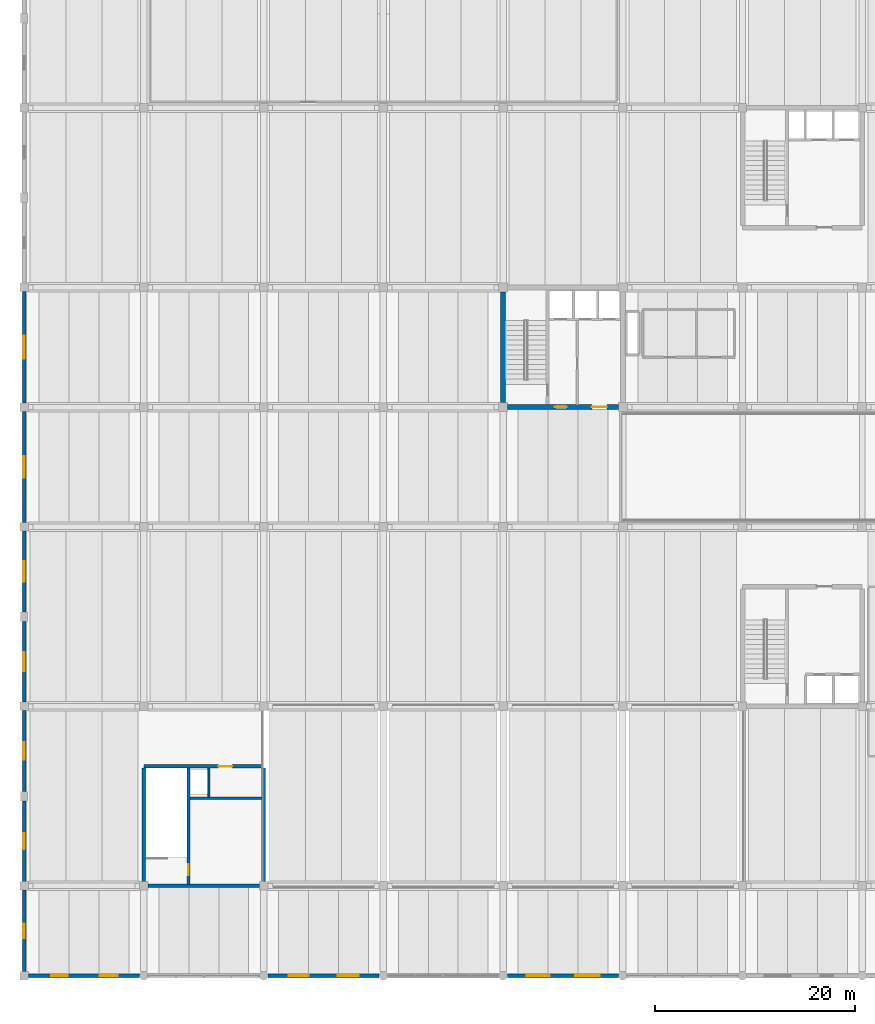
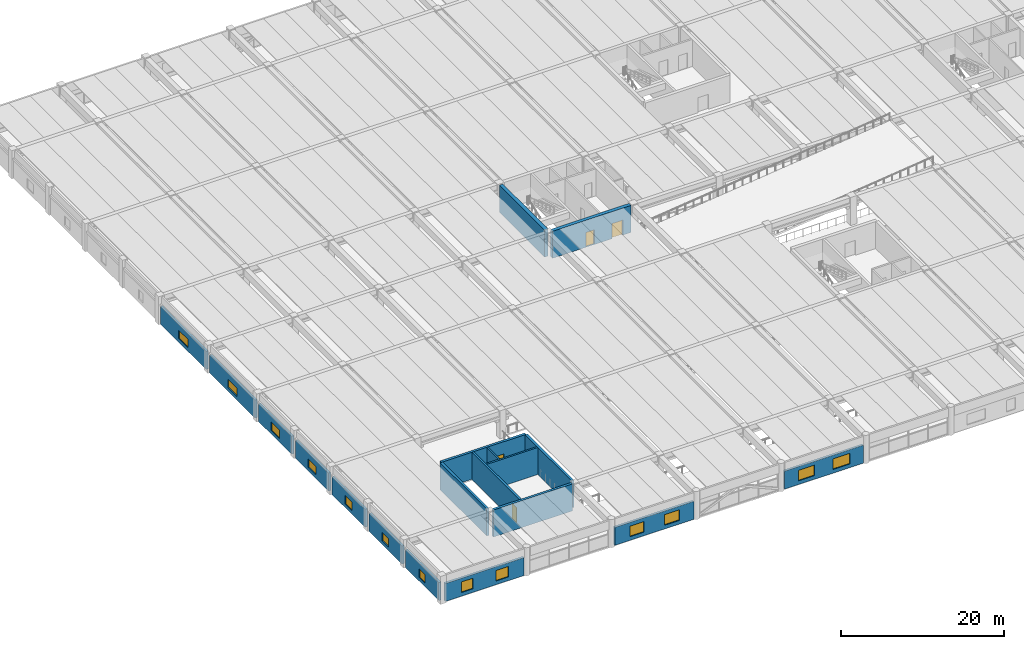
# One storey, part 33 of 50: 19 walls, 13 windows, 4 doors, 17 openings.
"""IFC4 building model written with IfcOpenShell, lengths in metres."""

from ifc_helpers import new_model, si_unit, direction, frame, frame_2d, origin, place, context, subcontext, project, spatial, rectangle, extrude, material, layer, layer_set, type_object, element, fill, save


model = new_model("IFC4")

# Units and contexts
model_context = context("Model", 3, precision=1e-05, world=origin(), true_north=direction((0.0, 1.0)))
body_context = subcontext(model_context, "Body", "Model", "MODEL_VIEW")
ifc_project = project(units=[si_unit("LENGTHUNIT", "METRE"), si_unit("AREAUNIT", "SQUARE_METRE"), si_unit("VOLUMEUNIT", "CUBIC_METRE"), si_unit("PLANEANGLEUNIT", "RADIAN"), si_unit("MASSUNIT", "GRAM", prefix="KILO")], contexts=[model_context])

# Site, building, storey
site_placement = place(None, origin())
site = spatial("IfcSite", under=ifc_project, at=site_placement, CompositionType="ELEMENT")
building_placement = place(site_placement, origin())
building = spatial("IfcBuilding", under=site, at=building_placement, Name="Girod Span Mobility Hub", CompositionType="ELEMENT")
storey_placement = place(building_placement, frame((0.0, 0.0, 5.39990234375)))
storey = spatial("IfcBuildingStorey", under=building, at=storey_placement, Name="L01", CompositionType="ELEMENT", Elevation=5.39990234375)

# Wall
ifc_material_1 = material(Name="Concrete C40/50", Category="concrete")
ifc_layer_1 = layer(ifc_material_1, 0.35009765625)
ifc_layer_set_1 = layer_set([ifc_layer_1], Name="Concrete C40/50")
wall_type_1 = type_object("IfcWallType", Name="W-CW-350", PredefinedType="SHEAR", material=ifc_layer_set_1)
wall_1_placement = place(storey_placement, frame((12.422119140625, 9.0, 0.0), z_axis=(0.0, 0.0, 1.0), x_axis=(1.0, 0.0, 0.0)))
element("IfcWall", 1, at=wall_1_placement, inside=storey, type_object=wall_type_1, Name="Core C5 Shear Wall S L01", PredefinedType="SHEAR", context=body_context, shape_type="SweptSolid", body=[
    extrude(rectangle(XDim=11.15576171875, YDim=0.35009765625, at=frame_2d((5.577880859375, 0.0))), origin(), (0.0, 0.0, 1.0), 4.043212890625),
])

# Wall, opening, door
wall_2_placement = place(storey_placement, frame((12.0, 21.0, 0.0), z_axis=(0.0, 0.0, 1.0), x_axis=(1.0, 0.0, 0.0)))
wall_2 = element("IfcWall", 2, at=wall_2_placement, inside=storey, type_object=wall_type_1, Name="Core C5 Shear Wall N L01", PredefinedType="SHEAR", context=body_context, shape_type="SweptSolid", body=[
    extrude(rectangle(XDim=12.0, YDim=0.35009765625, at=frame_2d((6.0, 0.0))), origin(), (0.0, 0.0, 1.0), 4.043212890625),
])
opening_1_placement = place(wall_2_placement, frame((7.449951171875, 0.0, 0.0)))
opening_1 = element("IfcOpeningElement", 3, at=opening_1_placement, cuts=wall_2, Name="Opening D-LB-C5-L01", PredefinedType="OPENING", context=body_context, shape_type="SweptSolid", body=[
    extrude(rectangle(XDim=1.39990234375, YDim=2.219970703125, at=frame_2d((0.699951171875, 1.10986328125))), frame((0.0, 0.18994140625, 0.0), z_axis=(0.0, -1.0, 0.0), x_axis=(1.0, 0.0, 0.0)), (0.0, 0.0, 1.0), 0.380126953125),
])
ifc_material_2 = material(Name="Fire-Rated Insulated Hollow Metal Steel", Category="steel")
door_type_1 = type_object("IfcDoorType", Name="DT-FD-04", OperationType="DOUBLE_DOOR_SINGLE_SWING", PredefinedType="DOOR", material=ifc_material_2)
door_1_placement = place(opening_1_placement, origin())
door_1 = element("IfcDoor", 4, at=door_1_placement, inside=storey, type_object=door_type_1, Name="Core C5 Boulevard Stair Lobby Door L01", OperationType="DOUBLE_DOOR_SINGLE_SWING", OverallHeight=2.219970703125, OverallWidth=1.39990234375, PredefinedType="DOOR", context=body_context, shape_type="SweptSolid", body=[
    extrude(rectangle(XDim=1.39990234375, YDim=2.219970703125, at=frame_2d((0.699951171875, 1.10986328125))), frame((0.0, 0.02490234375, 0.0), z_axis=(0.0, -1.0, 0.0), x_axis=(1.0, 0.0, 0.0)), (0.0, 0.0, 1.0), 0.050048828125),
])
fill(opening_1, door_1)

# Walls
for number, where, z_axis, x_axis, name in (
    (5, (12.0, 9.422119140625, 0.0), (0.0, 0.0, 1.0), (0.0, 1.0, 0.0), "Core C5 Shear Wall W L01"),
    (6, (24.0, 9.422119140625, 0.0), (0.0, 0.0, 1.0), (0.0, 1.0, 0.0), "Core C5 Shear Wall E L01"),
):
    element("IfcWall", number, at=place(storey_placement, frame(where, z_axis=z_axis, x_axis=x_axis)), inside=storey, type_object=wall_type_1, Name=name, PredefinedType="SHEAR", context=body_context, shape_type="SweptSolid", body=[
        extrude(rectangle(XDim=11.40576171875, YDim=0.35009765625, at=frame_2d((5.702880859375, 0.0))), origin(), (0.0, 0.0, 1.0), 4.043212890625),
    ])

# Wall, openings, doors
ifc_material_3 = material(Name="Concrete C40/50", Category="concrete")
ifc_layer_2 = layer(ifc_material_3, 0.5)
ifc_layer_set_2 = layer_set([ifc_layer_2], Name="Concrete C40/50")
wall_type_2 = type_object("IfcWallType", Name="W-CW-500", PredefinedType="SHEAR", material=ifc_layer_set_2)
wall_3_placement = place(storey_placement, frame((48.447021484375, 57.0, 0.0), z_axis=(0.0, 0.0, 1.0), x_axis=(1.0, 0.0, 0.0)))
wall_3 = element("IfcWall", 7, at=wall_3_placement, inside=storey, type_object=wall_type_2, Name="Core C1 Shear Wall S L01", PredefinedType="SHEAR", context=body_context, shape_type="SweptSolid", body=[
    extrude(rectangle(XDim=11.10595703125, YDim=0.5, at=frame_2d((5.552978515625, 0.0))), origin(), (0.0, 0.0, 1.0), 4.043212890625),
])
opening_2_placement = place(wall_3_placement, frame((4.7529296875, 0.0, 0.0)))
opening_2 = element("IfcOpeningElement", 8, at=opening_2_placement, cuts=wall_3, Name="Opening D-FL-C1-L01", PredefinedType="OPENING", context=body_context, shape_type="SweptSolid", body=[
    extrude(rectangle(XDim=1.199951171875, YDim=2.199951171875, at=frame_2d((0.60009765625, 1.10009765625))), frame((0.0, 0.264892578125, 0.0), z_axis=(0.0, -1.0, 0.0), x_axis=(1.0, 0.0, 0.0)), (0.0, 0.0, 1.0), 0.530029296875),
])
opening_3_placement = place(wall_3_placement, frame((8.452880859375, 0.0, 0.0)))
opening_3 = element("IfcOpeningElement", 9, at=opening_3_placement, cuts=wall_3, Name="Opening D-LB-C1-L01", PredefinedType="OPENING", context=body_context, shape_type="SweptSolid", body=[
    extrude(rectangle(XDim=1.5, YDim=2.25, at=frame_2d((0.75, 1.125))), frame((0.0, 0.264892578125, 0.0), z_axis=(0.0, -1.0, 0.0), x_axis=(1.0, 0.0, 0.0)), (0.0, 0.0, 1.0), 0.530029296875),
])
ifc_material_4 = material(Name="Fire-Rated Insulated Hollow Metal Steel", Category="steel")
door_type_2 = type_object("IfcDoorType", Name="DT-FD-03", OperationType="DOUBLE_DOOR_SINGLE_SWING", PredefinedType="DOOR", material=ifc_material_4)
door_2_placement = place(opening_3_placement, origin())
door_2 = element("IfcDoor", 10, at=door_2_placement, inside=storey, type_object=door_type_2, Name="Lift Lobby Entry Door C1 L01", OperationType="DOUBLE_DOOR_SINGLE_SWING", OverallHeight=2.25, OverallWidth=1.5, PredefinedType="DOOR", context=body_context, shape_type="SweptSolid", body=[
    extrude(rectangle(XDim=1.5, YDim=2.25, at=frame_2d((0.75, 1.125))), frame((0.0, 0.02490234375, 0.0), z_axis=(0.0, -1.0, 0.0), x_axis=(1.0, 0.0, 0.0)), (0.0, 0.0, 1.0), 0.050048828125),
])
fill(opening_3, door_2)
ifc_material_5 = material(Name="Fire-Rated Insulated Hollow Metal Steel", Category="steel")
door_type_3 = type_object("IfcDoorType", Name="DT-FD-05", OperationType="NOTDEFINED", PredefinedType="DOOR", material=ifc_material_5)
door_3_placement = place(opening_2_placement, origin())
door_3 = element("IfcDoor", 11, at=door_3_placement, inside=storey, type_object=door_type_3, Name="Firefighting Lobby Entry Door C1 L01", OperationType="SINGLE_SWING_RIGHT", OverallHeight=2.199951171875, OverallWidth=1.199951171875, PredefinedType="DOOR", context=body_context, shape_type="SweptSolid", body=[
    extrude(rectangle(XDim=1.199951171875, YDim=2.199951171875, at=frame_2d((0.60009765625, 1.10009765625))), frame((0.0, 0.02490234375, 0.0), z_axis=(0.0, -1.0, 0.0), x_axis=(1.0, 0.0, 0.0)), (0.0, 0.0, 1.0), 0.050048828125),
])
fill(opening_2, door_3)

# Wall
wall_4_placement = place(storey_placement, frame((48.0, 57.447021484375, 0.0), z_axis=(0.0, 0.0, 1.0), x_axis=(0.0, 1.0, 0.0)))
element("IfcWall", 12, at=wall_4_placement, inside=storey, type_object=wall_type_2, Name="Core C1 Shear Wall W L01", PredefinedType="SHEAR", context=body_context, shape_type="SweptSolid", body=[
    extrude(rectangle(XDim=11.10595703125, YDim=0.5, at=frame_2d((5.552978515625, 0.0))), origin(), (0.0, 0.0, 1.0), 4.043212890625),
])

# Wall, openings, windows
ifc_material_6 = material(Name="Precast Architectural Concrete C40/50", Category="concrete")
ifc_layer_3 = layer(ifc_material_6, 0.320068359375)
ifc_layer_set_3 = layer_set([ifc_layer_3], Name="Precast Architectural Concrete C40/50")
wall_type_3 = type_object("IfcWallType", Name="W-EXT-320", PredefinedType="SOLIDWALL", material=ifc_layer_set_3)
wall_5_placement = place(storey_placement, frame((0.423095703125, 0.0, 0.0), z_axis=(0.0, 0.0, 1.0), x_axis=(1.0, 0.0, 0.0)))
wall_5 = element("IfcWall", 13, at=wall_5_placement, inside=storey, type_object=wall_type_3, Name="Exterior Insulated Precast Wall S-1 L01", PredefinedType="SOLIDWALL", context=body_context, shape_type="SweptSolid", body=[
    extrude(rectangle(XDim=11.15380859375, YDim=0.320068359375, at=frame_2d((5.576904296875, 0.0))), origin(), (0.0, 0.0, 1.0), 2.690185546875),
])
opening_4_placement = place(wall_5_placement, frame((2.27001953125, 0.0, 0.550048828125)))
opening_4 = element("IfcOpeningElement", 14, at=opening_4_placement, cuts=wall_5, Name="Opening W-L01-S00A", PredefinedType="OPENING", context=body_context, shape_type="SweptSolid", body=[
    extrude(rectangle(XDim=1.659912109375, YDim=1.580078125, at=frame_2d((0.830078125, 0.7900390625))), frame((0.0, 0.175048828125, 0.0), z_axis=(0.0, -1.0, 0.0), x_axis=(1.0, 0.0, 0.0)), (0.0, 0.0, 1.0), 0.35009765625),
])
opening_5_placement = place(wall_5_placement, frame((7.14404296875, 0.0, 0.550048828125)))
opening_5 = element("IfcOpeningElement", 15, at=opening_5_placement, cuts=wall_5, Name="Opening W-L01-S00B", PredefinedType="OPENING", context=body_context, shape_type="SweptSolid", body=[
    extrude(rectangle(XDim=1.820068359375, YDim=1.580078125, at=frame_2d((0.91015625, 0.7900390625))), frame((0.0, 0.175048828125, 0.0), z_axis=(0.0, -1.0, 0.0), x_axis=(1.0, 0.0, 0.0)), (0.0, 0.0, 1.0), 0.35009765625),
])
ifc_material_7 = material(Name="Double Low-E Insulated Glazing", Category="glass")
window_type_1 = type_object("IfcWindowType", Name="WN-24", PartitioningType="SINGLE_PANEL", PredefinedType="WINDOW", material=ifc_material_7)
window_1_placement = place(opening_4_placement, origin())
window_1 = element("IfcWindow", 16, at=window_1_placement, inside=storey, type_object=window_type_1, Name="Gallery Window WN-24", OverallHeight=1.580078125, OverallWidth=1.659912109375, PartitioningType="SINGLE_PANEL", PredefinedType="WINDOW", context=body_context, shape_type="SweptSolid", body=[
    extrude(rectangle(XDim=1.659912109375, YDim=1.580078125, at=frame_2d((0.830078125, 0.7900390625))), frame((0.0, 0.030029296875, 0.0), z_axis=(0.0, -1.0, 0.0), x_axis=(1.0, 0.0, 0.0)), (0.0, 0.0, 1.0), 0.06005859375),
])
fill(opening_4, window_1)
ifc_material_8 = material(Name="Double Low-E Insulated Glazing", Category="glass")
window_type_2 = type_object("IfcWindowType", Name="WN-25", PartitioningType="DOUBLE_PANEL_VERTICAL", PredefinedType="WINDOW", material=ifc_material_8)
window_2_placement = place(opening_5_placement, origin())
window_2 = element("IfcWindow", 17, at=window_2_placement, inside=storey, type_object=window_type_2, Name="Gallery Window WN-25", OverallHeight=1.580078125, OverallWidth=1.820068359375, PartitioningType="DOUBLE_PANEL_VERTICAL", PredefinedType="WINDOW", context=body_context, shape_type="SweptSolid", body=[
    extrude(rectangle(XDim=1.820068359375, YDim=1.580078125, at=frame_2d((0.91015625, 0.7900390625))), frame((0.0, 0.030029296875, 0.0), z_axis=(0.0, -1.0, 0.0), x_axis=(1.0, 0.0, 0.0)), (0.0, 0.0, 1.0), 0.06005859375),
])
fill(opening_5, window_2)

wall_6_placement = place(storey_placement, frame((24.423095703125, 0.0, 0.0), z_axis=(0.0, 0.0, 1.0), x_axis=(1.0, 0.0, 0.0)))
wall_6 = element("IfcWall", 18, at=wall_6_placement, inside=storey, type_object=wall_type_3, Name="Exterior Insulated Precast Wall S-3 L01", PredefinedType="SOLIDWALL", context=body_context, shape_type="SweptSolid", body=[
    extrude(rectangle(XDim=11.15380859375, YDim=0.320068359375, at=frame_2d((5.576904296875, 0.0))), origin(), (0.0, 0.0, 1.0), 2.690185546875),
])
opening_6_placement = place(wall_6_placement, frame((2.110107421875, 0.0, 0.550048828125)))
opening_6 = element("IfcOpeningElement", 19, at=opening_6_placement, cuts=wall_6, Name="Opening W-L01-S02A", PredefinedType="OPENING", context=body_context, shape_type="SweptSolid", body=[
    extrude(rectangle(XDim=1.97998046875, YDim=1.580078125, at=frame_2d((0.989990234375, 0.7900390625))), frame((0.0, 0.175048828125, 0.0), z_axis=(0.0, -1.0, 0.0), x_axis=(1.0, 0.0, 0.0)), (0.0, 0.0, 1.0), 0.35009765625),
])
opening_7_placement = place(wall_6_placement, frame((6.98388671875, 0.0, 0.550048828125)))
opening_7 = element("IfcOpeningElement", 20, at=opening_7_placement, cuts=wall_6, Name="Opening W-L01-S02B", PredefinedType="OPENING", context=body_context, shape_type="SweptSolid", body=[
    extrude(rectangle(XDim=2.139892578125, YDim=1.580078125, at=frame_2d((1.06982421875, 0.7900390625))), frame((0.0, 0.175048828125, 0.0), z_axis=(0.0, -1.0, 0.0), x_axis=(1.0, 0.0, 0.0)), (0.0, 0.0, 1.0), 0.35009765625),
])
ifc_material_9 = material(Name="Double Low-E Insulated Glazing", Category="glass")
window_type_3 = type_object("IfcWindowType", Name="WN-26", PartitioningType="DOUBLE_PANEL_VERTICAL", PredefinedType="WINDOW", material=ifc_material_9)
window_3_placement = place(opening_6_placement, origin())
window_3 = element("IfcWindow", 21, at=window_3_placement, inside=storey, type_object=window_type_3, Name="Gallery Window WN-26", OverallHeight=1.580078125, OverallWidth=1.97998046875, PartitioningType="DOUBLE_PANEL_VERTICAL", PredefinedType="WINDOW", context=body_context, shape_type="SweptSolid", body=[
    extrude(rectangle(XDim=1.97998046875, YDim=1.580078125, at=frame_2d((0.989990234375, 0.7900390625))), frame((0.0, 0.030029296875, 0.0), z_axis=(0.0, -1.0, 0.0), x_axis=(1.0, 0.0, 0.0)), (0.0, 0.0, 1.0), 0.06005859375),
])
fill(opening_6, window_3)
ifc_material_10 = material(Name="Double Low-E Insulated Glazing", Category="glass")
window_type_4 = type_object("IfcWindowType", Name="WN-27", PartitioningType="DOUBLE_PANEL_VERTICAL", PredefinedType="WINDOW", material=ifc_material_10)
window_4_placement = place(opening_7_placement, origin())
window_4 = element("IfcWindow", 22, at=window_4_placement, inside=storey, type_object=window_type_4, Name="Gallery Window WN-27", OverallHeight=1.580078125, OverallWidth=2.139892578125, PartitioningType="DOUBLE_PANEL_VERTICAL", PredefinedType="WINDOW", context=body_context, shape_type="SweptSolid", body=[
    extrude(rectangle(XDim=2.139892578125, YDim=1.580078125, at=frame_2d((1.06982421875, 0.7900390625))), frame((0.0, 0.030029296875, 0.0), z_axis=(0.0, -1.0, 0.0), x_axis=(1.0, 0.0, 0.0)), (0.0, 0.0, 1.0), 0.06005859375),
])
fill(opening_7, window_4)

wall_7_placement = place(storey_placement, frame((48.423095703125, 0.0, 0.0), z_axis=(0.0, 0.0, 1.0), x_axis=(1.0, 0.0, 0.0)))
wall_7 = element("IfcWall", 23, at=wall_7_placement, inside=storey, type_object=wall_type_3, Name="Exterior Insulated Precast Wall S-5 L01", PredefinedType="SOLIDWALL", context=body_context, shape_type="SweptSolid", body=[
    extrude(rectangle(XDim=11.15380859375, YDim=0.320068359375, at=frame_2d((5.576904296875, 0.0))), origin(), (0.0, 0.0, 1.0), 2.690185546875),
])
opening_8_placement = place(wall_7_placement, frame((1.949951171875, 0.0, 0.550048828125)))
opening_8 = element("IfcOpeningElement", 24, at=opening_8_placement, cuts=wall_7, Name="Opening W-L01-S04A", PredefinedType="OPENING", context=body_context, shape_type="SweptSolid", body=[
    extrude(rectangle(XDim=2.300048828125, YDim=1.580078125, at=frame_2d((1.14990234375, 0.7900390625))), frame((0.0, 0.175048828125, 0.0), z_axis=(0.0, -1.0, 0.0), x_axis=(1.0, 0.0, 0.0)), (0.0, 0.0, 1.0), 0.35009765625),
])
opening_9_placement = place(wall_7_placement, frame((6.823974609375, 0.0, 0.550048828125)))
opening_9 = element("IfcOpeningElement", 25, at=opening_9_placement, cuts=wall_7, Name="Opening W-L01-S04B", PredefinedType="OPENING", context=body_context, shape_type="SweptSolid", body=[
    extrude(rectangle(XDim=2.4599609375, YDim=1.580078125, at=frame_2d((1.22998046875, 0.7900390625))), frame((0.0, 0.175048828125, 0.0), z_axis=(0.0, -1.0, 0.0), x_axis=(1.0, 0.0, 0.0)), (0.0, 0.0, 1.0), 0.35009765625),
])
ifc_material_11 = material(Name="Double Low-E Insulated Glazing", Category="glass")
window_type_5 = type_object("IfcWindowType", Name="WN-28", PartitioningType="DOUBLE_PANEL_VERTICAL", PredefinedType="WINDOW", material=ifc_material_11)
window_5_placement = place(opening_8_placement, origin())
window_5 = element("IfcWindow", 26, at=window_5_placement, inside=storey, type_object=window_type_5, Name="Gallery Window WN-28", OverallHeight=1.580078125, OverallWidth=2.300048828125, PartitioningType="DOUBLE_PANEL_VERTICAL", PredefinedType="WINDOW", context=body_context, shape_type="SweptSolid", body=[
    extrude(rectangle(XDim=2.300048828125, YDim=1.580078125, at=frame_2d((1.14990234375, 0.7900390625))), frame((0.0, 0.030029296875, 0.0), z_axis=(0.0, -1.0, 0.0), x_axis=(1.0, 0.0, 0.0)), (0.0, 0.0, 1.0), 0.06005859375),
])
fill(opening_8, window_5)
ifc_material_12 = material(Name="Double Low-E Insulated Glazing", Category="glass")
window_type_6 = type_object("IfcWindowType", Name="WN-29", PartitioningType="DOUBLE_PANEL_VERTICAL", PredefinedType="WINDOW", material=ifc_material_12)
window_6_placement = place(opening_9_placement, origin())
window_6 = element("IfcWindow", 27, at=window_6_placement, inside=storey, type_object=window_type_6, Name="Gallery Window WN-29", OverallHeight=1.580078125, OverallWidth=2.4599609375, PartitioningType="DOUBLE_PANEL_VERTICAL", PredefinedType="WINDOW", context=body_context, shape_type="SweptSolid", body=[
    extrude(rectangle(XDim=2.4599609375, YDim=1.580078125, at=frame_2d((1.22998046875, 0.7900390625))), frame((0.0, 0.030029296875, 0.0), z_axis=(0.0, -1.0, 0.0), x_axis=(1.0, 0.0, 0.0)), (0.0, 0.0, 1.0), 0.06005859375),
])
fill(opening_9, window_6)

# Wall, opening, window
wall_8_placement = place(storey_placement, frame((0.0, 0.423095703125, 0.0), z_axis=(0.0, 0.0, 1.0), x_axis=(0.0, 1.0, 0.0)))
wall_8 = element("IfcWall", 28, at=wall_8_placement, inside=storey, type_object=wall_type_3, Name="Side Exterior Wall W-A-1 L01", PredefinedType="SOLIDWALL", context=body_context, shape_type="SweptSolid", body=[
    extrude(rectangle(XDim=8.15380859375, YDim=0.320068359375, at=frame_2d((4.076904296875, 0.0))), origin(), (0.0, 0.0, 1.0), 2.690185546875),
])
opening_10_placement = place(wall_8_placement, frame((3.35205078125, 0.0, 0.550048828125)))
opening_10 = element("IfcOpeningElement", 29, at=opening_10_placement, cuts=wall_8, Name="Opening W-L01-W01", PredefinedType="OPENING", context=body_context, shape_type="SweptSolid", body=[
    extrude(rectangle(XDim=1.449951171875, YDim=1.25, at=frame_2d((0.72509765625, 0.625))), frame((0.0, 0.175048828125, 0.0), z_axis=(0.0, -1.0, 0.0), x_axis=(1.0, 0.0, 0.0)), (0.0, 0.0, 1.0), 0.35009765625),
])
ifc_material_13 = material(Name="Double Low-E Insulated Glazing", Category="glass")
window_type_7 = type_object("IfcWindowType", Name="WN-04", PartitioningType="SINGLE_PANEL", PredefinedType="WINDOW", material=ifc_material_13)
window_7_placement = place(opening_10_placement, origin())
window_7 = element("IfcWindow", 30, at=window_7_placement, inside=storey, type_object=window_type_7, Name="Side Facade Window WN-04", OverallHeight=1.25, OverallWidth=1.449951171875, PartitioningType="SINGLE_PANEL", PredefinedType="WINDOW", context=body_context, shape_type="SweptSolid", body=[
    extrude(rectangle(XDim=1.449951171875, YDim=1.25, at=frame_2d((0.72509765625, 0.625))), frame((0.0, 0.030029296875, 0.0), z_axis=(0.0, -1.0, 0.0), x_axis=(1.0, 0.0, 0.0)), (0.0, 0.0, 1.0), 0.06005859375),
])
fill(opening_10, window_7)

wall_9_placement = place(storey_placement, frame((0.0, 9.423095703125, 0.0), z_axis=(0.0, 0.0, 1.0), x_axis=(0.0, 1.0, 0.0)))
wall_9 = element("IfcWall", 31, at=wall_9_placement, inside=storey, type_object=wall_type_3, Name="Side Exterior Wall W-B-1 L01", PredefinedType="SOLIDWALL", context=body_context, shape_type="SweptSolid", body=[
    extrude(rectangle(XDim=8.10400390625, YDim=0.320068359375, at=frame_2d((4.052001953125, 0.0))), origin(), (0.0, 0.0, 1.0), 2.690185546875),
])
opening_11_placement = place(wall_9_placement, frame((3.251953125, 0.0, 0.550048828125)))
opening_11 = element("IfcOpeningElement", 32, at=opening_11_placement, cuts=wall_9, Name="Opening W-L01-W11", PredefinedType="OPENING", context=body_context, shape_type="SweptSolid", body=[
    extrude(rectangle(XDim=1.60009765625, YDim=1.25, at=frame_2d((0.800048828125, 0.625))), frame((0.0, 0.175048828125, 0.0), z_axis=(0.0, -1.0, 0.0), x_axis=(1.0, 0.0, 0.0)), (0.0, 0.0, 1.0), 0.35009765625),
])
ifc_material_14 = material(Name="Double Low-E Insulated Glazing", Category="glass")
window_type_8 = type_object("IfcWindowType", Name="WN-05", PartitioningType="SINGLE_PANEL", PredefinedType="WINDOW", material=ifc_material_14)
window_8_placement = place(opening_11_placement, origin())
window_8 = element("IfcWindow", 33, at=window_8_placement, inside=storey, type_object=window_type_8, Name="Side Facade Window WN-05", OverallHeight=1.25, OverallWidth=1.60009765625, PartitioningType="SINGLE_PANEL", PredefinedType="WINDOW", context=body_context, shape_type="SweptSolid", body=[
    extrude(rectangle(XDim=1.60009765625, YDim=1.25, at=frame_2d((0.800048828125, 0.625))), frame((0.0, 0.030029296875, 0.0), z_axis=(0.0, -1.0, 0.0), x_axis=(1.0, 0.0, 0.0)), (0.0, 0.0, 1.0), 0.06005859375),
])
fill(opening_11, window_8)

wall_10_placement = place(storey_placement, frame((0.0, 18.472900390625, 0.0), z_axis=(0.0, 0.0, 1.0), x_axis=(0.0, 1.0, 0.0)))
wall_10 = element("IfcWall", 34, at=wall_10_placement, inside=storey, type_object=wall_type_3, Name="Side Exterior Wall W-B-2 L01", PredefinedType="SOLIDWALL", context=body_context, shape_type="SweptSolid", body=[
    extrude(rectangle(XDim=8.10400390625, YDim=0.320068359375, at=frame_2d((4.052001953125, 0.0))), origin(), (0.0, 0.0, 1.0), 2.690185546875),
])
opening_12_placement = place(wall_10_placement, frame((3.177001953125, 0.0, 0.550048828125)))
opening_12 = element("IfcOpeningElement", 35, at=opening_12_placement, cuts=wall_10, Name="Opening W-L01-W12", PredefinedType="OPENING", context=body_context, shape_type="SweptSolid", body=[
    extrude(rectangle(XDim=1.75, YDim=1.25, at=frame_2d((0.875, 0.625))), frame((0.0, 0.175048828125, 0.0), z_axis=(0.0, -1.0, 0.0), x_axis=(1.0, 0.0, 0.0)), (0.0, 0.0, 1.0), 0.35009765625),
])
ifc_material_15 = material(Name="Double Low-E Insulated Glazing", Category="glass")
window_type_9 = type_object("IfcWindowType", Name="WN-06", PartitioningType="SINGLE_PANEL", PredefinedType="WINDOW", material=ifc_material_15)
window_9_placement = place(opening_12_placement, origin())
window_9 = element("IfcWindow", 36, at=window_9_placement, inside=storey, type_object=window_type_9, Name="Side Facade Window WN-06", OverallHeight=1.25, OverallWidth=1.75, PartitioningType="SINGLE_PANEL", PredefinedType="WINDOW", context=body_context, shape_type="SweptSolid", body=[
    extrude(rectangle(XDim=1.75, YDim=1.25, at=frame_2d((0.875, 0.625))), frame((0.0, 0.030029296875, 0.0), z_axis=(0.0, -1.0, 0.0), x_axis=(1.0, 0.0, 0.0)), (0.0, 0.0, 1.0), 0.06005859375),
])
fill(opening_12, window_9)

wall_11_placement = place(storey_placement, frame((0.0, 27.423095703125, 0.0), z_axis=(0.0, 0.0, 1.0), x_axis=(0.0, 1.0, 0.0)))
wall_11 = element("IfcWall", 37, at=wall_11_placement, inside=storey, type_object=wall_type_3, Name="Side Exterior Wall W-C-1 L01", PredefinedType="SOLIDWALL", context=body_context, shape_type="SweptSolid", body=[
    extrude(rectangle(XDim=8.10400390625, YDim=0.320068359375, at=frame_2d((4.052001953125, 0.0))), origin(), (0.0, 0.0, 1.0), 2.690185546875),
])
opening_13_placement = place(wall_11_placement, frame((3.10205078125, 0.0, 0.550048828125)))
opening_13 = element("IfcOpeningElement", 38, at=opening_13_placement, cuts=wall_11, Name="Opening W-L01-W21", PredefinedType="OPENING", context=body_context, shape_type="SweptSolid", body=[
    extrude(rectangle(XDim=1.89990234375, YDim=1.25, at=frame_2d((0.949951171875, 0.625))), frame((0.0, 0.175048828125, 0.0), z_axis=(0.0, -1.0, 0.0), x_axis=(1.0, 0.0, 0.0)), (0.0, 0.0, 1.0), 0.35009765625),
])
ifc_material_16 = material(Name="Double Low-E Insulated Glazing", Category="glass")
window_type_10 = type_object("IfcWindowType", Name="WN-07", PartitioningType="DOUBLE_PANEL_VERTICAL", PredefinedType="WINDOW", material=ifc_material_16)
window_10_placement = place(opening_13_placement, origin())
window_10 = element("IfcWindow", 39, at=window_10_placement, inside=storey, type_object=window_type_10, Name="Side Facade Window WN-07", OverallHeight=1.25, OverallWidth=1.89990234375, PartitioningType="DOUBLE_PANEL_VERTICAL", PredefinedType="WINDOW", context=body_context, shape_type="SweptSolid", body=[
    extrude(rectangle(XDim=1.89990234375, YDim=1.25, at=frame_2d((0.949951171875, 0.625))), frame((0.0, 0.030029296875, 0.0), z_axis=(0.0, -1.0, 0.0), x_axis=(1.0, 0.0, 0.0)), (0.0, 0.0, 1.0), 0.06005859375),
])
fill(opening_13, window_10)

wall_12_placement = place(storey_placement, frame((0.0, 36.472900390625, 0.0), z_axis=(0.0, 0.0, 1.0), x_axis=(0.0, 1.0, 0.0)))
wall_12 = element("IfcWall", 40, at=wall_12_placement, inside=storey, type_object=wall_type_3, Name="Side Exterior Wall W-C-2 L01", PredefinedType="SOLIDWALL", context=body_context, shape_type="SweptSolid", body=[
    extrude(rectangle(XDim=8.10400390625, YDim=0.320068359375, at=frame_2d((4.052001953125, 0.0))), origin(), (0.0, 0.0, 1.0), 2.690185546875),
])
opening_14_placement = place(wall_12_placement, frame((3.027099609375, 0.0, 0.550048828125)))
opening_14 = element("IfcOpeningElement", 41, at=opening_14_placement, cuts=wall_12, Name="Opening W-L01-W22", PredefinedType="OPENING", context=body_context, shape_type="SweptSolid", body=[
    extrude(rectangle(XDim=2.050048828125, YDim=1.25, at=frame_2d((1.02490234375, 0.625))), frame((0.0, 0.175048828125, 0.0), z_axis=(0.0, -1.0, 0.0), x_axis=(1.0, 0.0, 0.0)), (0.0, 0.0, 1.0), 0.35009765625),
])
ifc_material_17 = material(Name="Double Low-E Insulated Glazing", Category="glass")
window_type_11 = type_object("IfcWindowType", Name="WN-08", PartitioningType="DOUBLE_PANEL_VERTICAL", PredefinedType="WINDOW", material=ifc_material_17)
window_11_placement = place(opening_14_placement, origin())
window_11 = element("IfcWindow", 42, at=window_11_placement, inside=storey, type_object=window_type_11, Name="Side Facade Window WN-08", OverallHeight=1.25, OverallWidth=2.050048828125, PartitioningType="DOUBLE_PANEL_VERTICAL", PredefinedType="WINDOW", context=body_context, shape_type="SweptSolid", body=[
    extrude(rectangle(XDim=2.050048828125, YDim=1.25, at=frame_2d((1.02490234375, 0.625))), frame((0.0, 0.030029296875, 0.0), z_axis=(0.0, -1.0, 0.0), x_axis=(1.0, 0.0, 0.0)), (0.0, 0.0, 1.0), 0.06005859375),
])
fill(opening_14, window_11)

wall_13_placement = place(storey_placement, frame((0.0, 45.423095703125, 0.0), z_axis=(0.0, 0.0, 1.0), x_axis=(0.0, 1.0, 0.0)))
wall_13 = element("IfcWall", 43, at=wall_13_placement, inside=storey, type_object=wall_type_3, Name="Side Exterior Wall W-D-1 L01", PredefinedType="SOLIDWALL", context=body_context, shape_type="SweptSolid", body=[
    extrude(rectangle(XDim=11.15380859375, YDim=0.320068359375, at=frame_2d((5.576904296875, 0.0))), origin(), (0.0, 0.0, 1.0), 2.690185546875),
])
opening_15_placement = place(wall_13_placement, frame((4.47705078125, 0.0, 0.550048828125)))
opening_15 = element("IfcOpeningElement", 44, at=opening_15_placement, cuts=wall_13, Name="Opening W-L01-W31", PredefinedType="OPENING", context=body_context, shape_type="SweptSolid", body=[
    extrude(rectangle(XDim=2.199951171875, YDim=1.25, at=frame_2d((1.10009765625, 0.625))), frame((0.0, 0.175048828125, 0.0), z_axis=(0.0, -1.0, 0.0), x_axis=(1.0, 0.0, 0.0)), (0.0, 0.0, 1.0), 0.35009765625),
])
ifc_material_18 = material(Name="Double Low-E Insulated Glazing", Category="glass")
window_type_12 = type_object("IfcWindowType", Name="WN-09", PartitioningType="DOUBLE_PANEL_VERTICAL", PredefinedType="WINDOW", material=ifc_material_18)
window_12_placement = place(opening_15_placement, origin())
window_12 = element("IfcWindow", 45, at=window_12_placement, inside=storey, type_object=window_type_12, Name="Side Facade Window WN-09", OverallHeight=1.25, OverallWidth=2.199951171875, PartitioningType="DOUBLE_PANEL_VERTICAL", PredefinedType="WINDOW", context=body_context, shape_type="SweptSolid", body=[
    extrude(rectangle(XDim=2.199951171875, YDim=1.25, at=frame_2d((1.10009765625, 0.625))), frame((0.0, 0.030029296875, 0.0), z_axis=(0.0, -1.0, 0.0), x_axis=(1.0, 0.0, 0.0)), (0.0, 0.0, 1.0), 0.06005859375),
])
fill(opening_15, window_12)

wall_14_placement = place(storey_placement, frame((0.0, 57.423095703125, 0.0), z_axis=(0.0, 0.0, 1.0), x_axis=(0.0, 1.0, 0.0)))
wall_14 = element("IfcWall", 46, at=wall_14_placement, inside=storey, type_object=wall_type_3, Name="Side Exterior Wall W-E-1 L01", PredefinedType="SOLIDWALL", context=body_context, shape_type="SweptSolid", body=[
    extrude(rectangle(XDim=11.15380859375, YDim=0.320068359375, at=frame_2d((5.576904296875, 0.0))), origin(), (0.0, 0.0, 1.0), 2.690185546875),
])
opening_16_placement = place(wall_14_placement, frame((4.402099609375, 0.0, 0.550048828125)))
opening_16 = element("IfcOpeningElement", 47, at=opening_16_placement, cuts=wall_14, Name="Opening W-L01-W41", PredefinedType="OPENING", context=body_context, shape_type="SweptSolid", body=[
    extrude(rectangle(XDim=2.35009765625, YDim=1.25, at=frame_2d((1.175048828125, 0.625))), frame((0.0, 0.175048828125, 0.0), z_axis=(0.0, -1.0, 0.0), x_axis=(1.0, 0.0, 0.0)), (0.0, 0.0, 1.0), 0.35009765625),
])
ifc_material_19 = material(Name="Double Low-E Insulated Glazing", Category="glass")
window_type_13 = type_object("IfcWindowType", Name="WN-10", PartitioningType="DOUBLE_PANEL_VERTICAL", PredefinedType="WINDOW", material=ifc_material_19)
window_13_placement = place(opening_16_placement, origin())
window_13 = element("IfcWindow", 48, at=window_13_placement, inside=storey, type_object=window_type_13, Name="Side Facade Window WN-10", OverallHeight=1.25, OverallWidth=2.35009765625, PartitioningType="DOUBLE_PANEL_VERTICAL", PredefinedType="WINDOW", context=body_context, shape_type="SweptSolid", body=[
    extrude(rectangle(XDim=2.35009765625, YDim=1.25, at=frame_2d((1.175048828125, 0.625))), frame((0.0, 0.030029296875, 0.0), z_axis=(0.0, -1.0, 0.0), x_axis=(1.0, 0.0, 0.0)), (0.0, 0.0, 1.0), 0.06005859375),
])
fill(opening_16, window_13)

# Walls
ifc_material_20 = material(Name="Concrete C40/50", Category="concrete")
ifc_layer_4 = layer(ifc_material_20, 0.199951171875)
ifc_layer_set_4 = layer_set([ifc_layer_4], Name="Concrete C40/50")
wall_type_4 = type_object("IfcWallType", Name="W-SH-200", PredefinedType="SOLIDWALL", material=ifc_layer_set_4)
wall_15_placement = place(storey_placement, frame((18.52001953125, 17.919921875, 0.0), z_axis=(0.0, 0.0, 1.0), x_axis=(0.0, 1.0, 0.0)))
element("IfcWall", 49, at=wall_15_placement, inside=storey, type_object=wall_type_4, Name="Core C5 Shaft Divider 1 L01", PredefinedType="SOLIDWALL", context=body_context, shape_type="SweptSolid", body=[
    extrude(rectangle(XDim=2.905029296875, YDim=0.199951171875, at=frame_2d((1.45263671875, 0.0))), origin(), (0.0, 0.0, 1.0), 4.033203125),
])
ifc_material_21 = material(Name="Concrete C40/50", Category="concrete")
ifc_layer_5 = layer(ifc_material_21, 0.25)
ifc_layer_set_5 = layer_set([ifc_layer_5], Name="Concrete C40/50")
wall_type_5 = type_object("IfcWallType", Name="W-SH-250", PredefinedType="SOLIDWALL", material=ifc_layer_set_5)
wall_16_placement = place(storey_placement, frame((16.596923828125, 17.800048828125, 0.0), z_axis=(0.0, 0.0, 1.0), x_axis=(1.0, 0.0, 0.0)))
element("IfcWall", 50, at=wall_16_placement, inside=storey, type_object=wall_type_5, Name="Core C5 Hoistway Front Wall L01", PredefinedType="SOLIDWALL", context=body_context, shape_type="SweptSolid", body=[
    extrude(rectangle(XDim=7.23095703125, YDim=0.25, at=frame_2d((3.615478515625, 0.0))), origin(), (0.0, 0.0, 1.0), 4.043212890625),
])

# Wall, opening, door
ifc_material_22 = material(Name="Concrete C40/50", Category="concrete")
ifc_layer_6 = layer(ifc_material_22, 0.300048828125)
ifc_layer_set_6 = layer_set([ifc_layer_6], Name="Concrete C40/50")
wall_type_6 = type_object("IfcWallType", Name="W-SH-300", PredefinedType="SHEAR", material=ifc_layer_set_6)
wall_17_placement = place(storey_placement, frame((16.449951171875, 9.172119140625, 0.0), z_axis=(0.0, 0.0, 1.0), x_axis=(0.0, 1.0, 0.0)))
wall_17 = element("IfcWall", 51, at=wall_17_placement, inside=storey, type_object=wall_type_6, Name="Core C5 Stairwell Spine Wall L01", PredefinedType="SHEAR", context=body_context, shape_type="SweptSolid", body=[
    extrude(rectangle(XDim=11.65576171875, YDim=0.300048828125, at=frame_2d((5.827880859375, 0.0))), origin(), (0.0, 0.0, 1.0), 4.043212890625),
])
opening_17_placement = place(wall_17_placement, frame((0.89990234375, 0.0, 0.0)))
opening_17 = element("IfcOpeningElement", 52, at=opening_17_placement, cuts=wall_17, Name="Opening D-ST-5-L01", PredefinedType="OPENING", context=body_context, shape_type="SweptSolid", body=[
    extrude(rectangle(XDim=1.10009765625, YDim=2.199951171875, at=frame_2d((0.550048828125, 1.10009765625))), frame((0.0, 0.1650390625, 0.0), z_axis=(0.0, -1.0, 0.0), x_axis=(1.0, 0.0, 0.0)), (0.0, 0.0, 1.0), 0.330078125),
])
ifc_material_23 = material(Name="Fire-Rated Insulated Hollow Metal Steel", Category="steel")
door_type_4 = type_object("IfcDoorType", Name="DT-FD-01", OperationType="NOTDEFINED", PredefinedType="DOOR", material=ifc_material_23)
door_4_placement = place(opening_17_placement, origin())
door_4 = element("IfcDoor", 53, at=door_4_placement, inside=storey, type_object=door_type_4, Name="Stair ST-5 Fire Door L01", OperationType="SINGLE_SWING_LEFT", OverallHeight=2.199951171875, OverallWidth=1.10009765625, PredefinedType="DOOR", context=body_context, shape_type="SweptSolid", body=[
    extrude(rectangle(XDim=1.10009765625, YDim=2.199951171875, at=frame_2d((0.550048828125, 1.10009765625))), frame((0.0, 0.02490234375, 0.0), z_axis=(0.0, -1.0, 0.0), x_axis=(1.0, 0.0, 0.0)), (0.0, 0.0, 1.0), 0.050048828125),
])
fill(opening_17, door_4)

save(model, "model.ifc")
